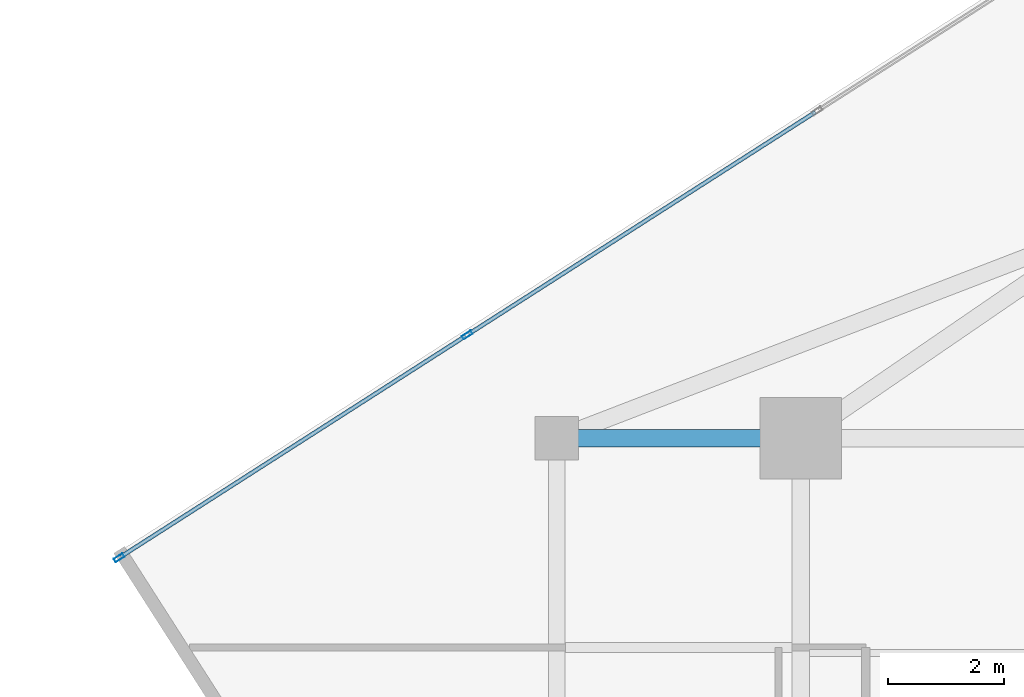
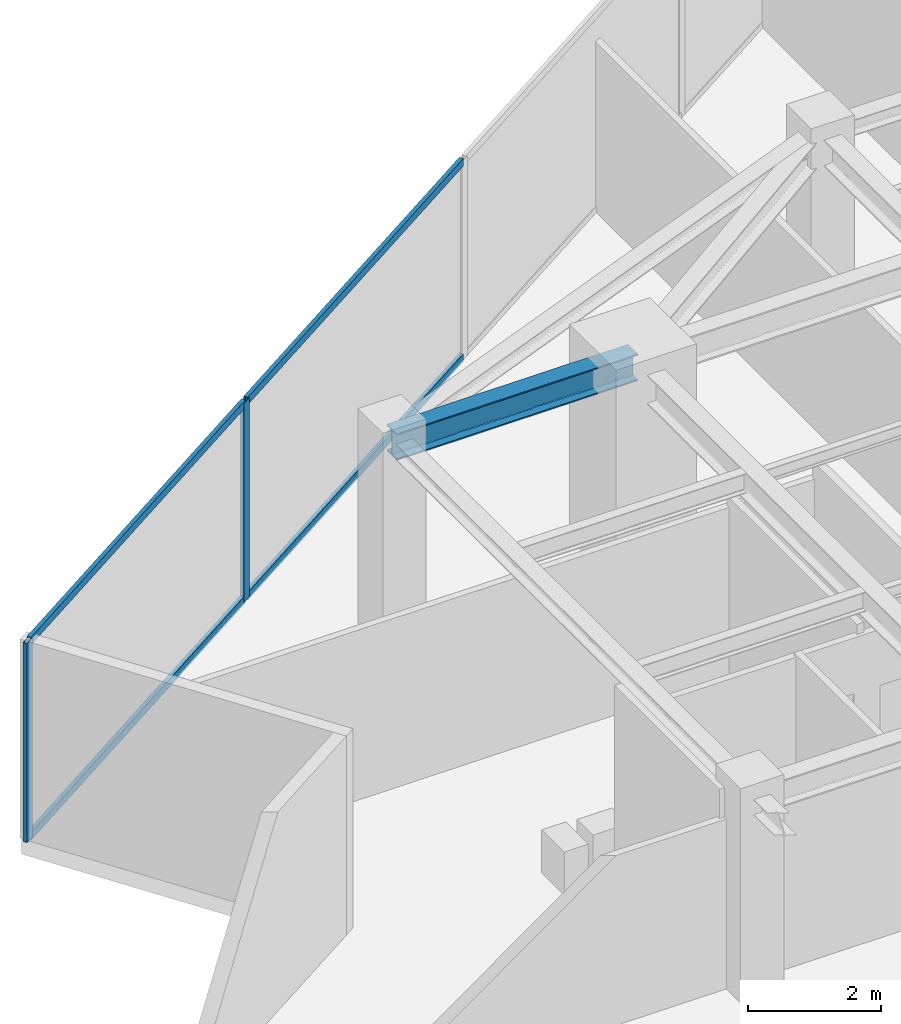
# One storey, part 11 of 20: 6 members, 1 beam, 1 element without a shape of its own.
"""IFC4 building model written with IfcOpenShell, lengths in metres."""

import ifcopenshell
import ifcopenshell.guid

model = None  # the IFC model being written
_history = None  # IfcOwnerHistory: only IFC2X3 demands one
_inside = {}  # id of a spatial element -> (the spatial element, [elements in it])
_under = {}  # id of a project, library or spatial element -> (it, [spatial elements below it])
_declared = {}  # id of a project -> (the project, [libraries it declares])
_typed = {}  # id of a type object -> (the type object, [elements of that type])
_made_of = {}  # id of a material, layer set ... -> (it, [elements and type objects made of it])


def new_model(schema):
    """Start an empty IFC model of exactly this schema.

    Asked for "IFC4X3", IfcOpenShell would pick the latest addendum, in which some entities
    have other attributes; the version numbers below select the first issue.
    IFC2X3 requires an IfcOwnerHistory on every rooted entity: one is made here for all.
    """
    global model, _history
    if schema == "IFC4X3":
        model = ifcopenshell.file(schema_version=(4, 3, 0, 0))
    else:
        model = ifcopenshell.file(schema=schema)
    _inside.clear()
    _under.clear()
    _declared.clear()
    _typed.clear()
    _made_of.clear()
    _history = None
    if model.schema == "IFC2X3":
        org = make("IfcOrganization", Name="unknown")
        user = make(
            "IfcPersonAndOrganization",
            ThePerson=make("IfcPerson", FamilyName="unknown"),
            TheOrganization=org,
        )
        app = make(
            "IfcApplication",
            ApplicationDeveloper=org,
            Version="unknown",
            ApplicationFullName="unknown",
            ApplicationIdentifier="unknown",
        )
        _history = make(
            "IfcOwnerHistory",
            OwningUser=user,
            OwningApplication=app,
            ChangeAction="ADDED",
            CreationDate=0,
        )
    return model


def make(cls, **values):
    """One entity of the class cls with the attributes given. An attribute that is None is left unset."""
    return model.create_entity(
        cls, **{name: value for name, value in values.items() if value is not None}
    )


def rooted(cls, **values):
    """An entity with a GlobalId (a new one), such as an element, a storey or a relation."""
    return make(cls, GlobalId=ifcopenshell.guid.new(), OwnerHistory=_history, **values)


def si_unit(unit_type, name, prefix=None):
    """IfcSIUnit, for example si_unit("LENGTHUNIT", "METRE", prefix="MILLI")."""
    return make("IfcSIUnit", UnitType=unit_type, Prefix=prefix, Name=name)


def assignment(units):
    """IfcUnitAssignment: the units of a project."""
    return None if units is None else make("IfcUnitAssignment", Units=units)


def point(xyz):
    """IfcCartesianPoint."""
    return None if xyz is None else make("IfcCartesianPoint", Coordinates=xyz)


def direction(xyz):
    """IfcDirection."""
    return None if xyz is None else make("IfcDirection", DirectionRatios=xyz)


def frame(location, z_axis=None, x_axis=None):
    """IfcAxis2Placement3D, a coordinate frame: its origin and axes. An axis left out is left unset."""
    return make(
        "IfcAxis2Placement3D",
        Location=point(location),
        Axis=direction(z_axis),
        RefDirection=direction(x_axis),
    )


def frame_2d(location, x_axis=None):
    """IfcAxis2Placement2D, a coordinate frame in the plane: its origin and x axis."""
    return make(
        "IfcAxis2Placement2D", Location=point(location), RefDirection=direction(x_axis)
    )


def origin():
    """The frame at (0, 0, 0) with its axes left unset."""
    return frame((0.0, 0.0, 0.0))


def origin_2d():
    """The frame at (0, 0) in the plane with its x axis left unset."""
    return frame_2d((0.0, 0.0))


def place(relative_to, where):
    """IfcLocalPlacement: puts the frame where relative to a parent placement (None: the world)."""
    return make(
        "IfcLocalPlacement", PlacementRelTo=relative_to, RelativePlacement=where
    )


def context(
    kind, dimensions, precision=None, world=None, true_north=None, identifier=None
):
    """IfcGeometricRepresentationContext, for example the 3D "Model" context."""
    return make(
        "IfcGeometricRepresentationContext",
        ContextIdentifier=identifier,
        ContextType=kind,
        CoordinateSpaceDimension=dimensions,
        Precision=precision,
        WorldCoordinateSystem=world,
        TrueNorth=true_north,
    )


def subcontext(parent, identifier, kind, view, scale=None):
    """IfcGeometricRepresentationSubContext, for example "Body" below "Model"."""
    return make(
        "IfcGeometricRepresentationSubContext",
        ContextIdentifier=identifier,
        ContextType=kind,
        ParentContext=parent,
        TargetScale=scale,
        TargetView=view,
    )


def project(units=None, contexts=None):
    """IfcProject with its units and contexts."""
    return rooted(
        "IfcProject",
        Name="project",
        RepresentationContexts=contexts,
        UnitsInContext=assignment(units),
    )


def spatial(cls, under=None, at=None, **own):
    """A site, building, storey or space (cls), placed at a placement, below another one or the project."""
    s = rooted(cls, ObjectPlacement=at, **own)
    if under is not None:
        _under.setdefault(under.id(), (under, []))[1].append(s)
    return s


def profile(cls, at=None, kind="AREA", **sizes):
    """A parametric profile (cls). Its sizes go by their IFC names, for example OverallWidth=200.0."""
    return make(cls, ProfileType=kind, Position=at, **sizes)


def hollow_rectangle(**sizes):
    """IfcRectangleHollowProfileDef."""
    return profile("IfcRectangleHollowProfileDef", **sizes)


def i_section(**sizes):
    """IfcIShapeProfileDef."""
    return profile("IfcIShapeProfileDef", **sizes)


def extrude(swept, where, along, depth):
    """IfcExtrudedAreaSolid: the profile swept, set in the frame where, extruded along a direction by depth."""
    return make(
        "IfcExtrudedAreaSolid",
        SweptArea=swept,
        Position=where,
        ExtrudedDirection=direction(along),
        Depth=depth,
    )


def shape(context_of_items, identifier, shape_type, items):
    """IfcShapeRepresentation: the items that make up one representation, for example the "Body"."""
    return make(
        "IfcShapeRepresentation",
        ContextOfItems=context_of_items,
        RepresentationIdentifier=identifier,
        RepresentationType=shape_type,
        Items=items,
    )


def source(mapping_origin, context_of_items, identifier, shape_type, items):
    """IfcRepresentationMap: a shape defined once, which mapped items show again and again."""
    return make(
        "IfcRepresentationMap",
        MappingOrigin=mapping_origin,
        MappedRepresentation=shape(context_of_items, identifier, shape_type, items),
    )


def transform(
    local_origin,
    x_axis=None,
    y_axis=None,
    z_axis=None,
    scale=None,
    scale2=None,
    scale3=None,
    uniform=True,
):
    """IfcCartesianTransformationOperator3D, or its non-uniform kind. x_axis, y_axis, z_axis: its Axis1, 2, 3."""
    if uniform:
        return make(
            "IfcCartesianTransformationOperator3D",
            Axis1=direction(x_axis),
            Axis2=direction(y_axis),
            LocalOrigin=point(local_origin),
            Scale=scale,
            Axis3=direction(z_axis),
        )
    return make(
        "IfcCartesianTransformationOperator3DnonUniform",
        Axis1=direction(x_axis),
        Axis2=direction(y_axis),
        LocalOrigin=point(local_origin),
        Scale=scale,
        Axis3=direction(z_axis),
        Scale2=scale2,
        Scale3=scale3,
    )


def mapped(mapping_source, mapping_target):
    """IfcMappedItem: shows the shape of a source again, moved by a transform."""
    return make(
        "IfcMappedItem", MappingSource=mapping_source, MappingTarget=mapping_target
    )


def material(Name=None, Category=None):
    """IfcMaterial."""
    return make("IfcMaterial", Name=Name, Category=Category)


def material_profile(
    of_material, cross_section, Name=None, Category=None, Priority=None
):
    """IfcMaterialProfile: a cross section and its material."""
    return make(
        "IfcMaterialProfile",
        Name=Name,
        Material=of_material,
        Profile=cross_section,
        Priority=Priority,
        Category=Category,
    )


def profile_set(profiles, Name=None, composite=None):
    """IfcMaterialProfileSet."""
    return make(
        "IfcMaterialProfileSet",
        Name=Name,
        MaterialProfiles=profiles,
        CompositeProfile=composite,
    )


def made_of(thing, what):
    """Note that an element or type object is made of a material, layer set ...; save() writes the relation."""
    if what is not None:
        _made_of.setdefault(what.id(), (what, []))[1].append(thing)
    return thing


def type_object(cls, material=None, **own):
    """A type object (cls), such as IfcWallType, which elements share."""
    return made_of(rooted(cls, **own), material)


def type_shapes(of_type, sources):
    """Give a type object the sources (RepresentationMaps) that its elements show as mapped items."""
    of_type.RepresentationMaps = sources


def element(
    cls,
    number,
    at=None,
    inside=None,
    cuts=None,
    type_object=None,
    material=None,
    context=None,
    identifier="Body",
    shape_type=None,
    held_by="IfcProductDefinitionShape",
    body=None,
    shapes=None,
    **own,
):
    """One element of the class cls, such as IfcWall. Its Tag is "e" and its number.

    at: its placement. inside: the storey or other place that contains it. cuts: it is an
    opening in that element (IfcRelVoidsElement). A single representation is given by context,
    identifier, shape_type and body (its items); several are given by shapes. held_by: the class
    of the entity that holds the representations. save() writes the other relations.
    """
    e = rooted(cls, Tag="e%d" % number, ObjectPlacement=at, **own)
    if body is not None:
        shapes = [shape(context, identifier, shape_type, body)]
    if shapes is not None:
        e.Representation = make(held_by, Representations=shapes)
    if inside is not None:
        _inside.setdefault(inside.id(), (inside, []))[1].append(e)
    if cuts is not None:
        rooted(
            "IfcRelVoidsElement", RelatingBuildingElement=cuts, RelatedOpeningElement=e
        )
    if type_object is not None:
        _typed.setdefault(type_object.id(), (type_object, []))[1].append(e)
    return made_of(e, material)


def aggregate(whole, parts):
    """IfcRelAggregates: a whole, such as a stair, and the parts it consists of."""
    return rooted("IfcRelAggregates", RelatingObject=whole, RelatedObjects=parts)


def save(model, path):
    """Write the relations noted so far, then the file.

    IfcRelAggregates (storeys below a building ...), IfcRelContainedInSpatialStructure (elements
    in a storey), IfcRelDefinesByType, IfcRelAssociatesMaterial and IfcRelDeclares: one each for
    every whole, place, type object, material and project.
    """
    for whole, parts in _under.values():
        aggregate(whole, parts)
    for where, things in _inside.values():
        rooted(
            "IfcRelContainedInSpatialStructure",
            RelatedElements=things,
            RelatingStructure=where,
        )
    for kind, things in _typed.values():
        rooted("IfcRelDefinesByType", RelatedObjects=things, RelatingType=kind)
    for what, things in _made_of.values():
        rooted("IfcRelAssociatesMaterial", RelatedObjects=things, RelatingMaterial=what)
    for by, libraries in _declared.values():
        rooted("IfcRelDeclares", RelatingContext=by, RelatedDefinitions=libraries)
    model.write(path)


model = new_model("IFC4")

# Units and contexts
model_context = context("Model", 3, precision=1e-05, world=origin(), true_north=direction((0.0, 1.0)))
body_context = subcontext(model_context, "Body", "Model", "MODEL_VIEW")
ifc_project = project(units=[si_unit("LENGTHUNIT", "METRE"), si_unit("AREAUNIT", "SQUARE_METRE"), si_unit("VOLUMEUNIT", "CUBIC_METRE"), si_unit("PLANEANGLEUNIT", "RADIAN"), si_unit("MASSUNIT", "GRAM", prefix="KILO")], contexts=[model_context])

# Site, building, storey
site_placement = place(None, origin())
site = spatial("IfcSite", under=ifc_project, at=site_placement, CompositionType="ELEMENT")
building_placement = place(site_placement, origin())
building = spatial("IfcBuilding", under=site, at=building_placement, Name="Krantzveldt Concourse Tower", CompositionType="ELEMENT")
storey_placement = place(building_placement, frame((0.0, 0.0, 291.10009765625)))
storey = spatial("IfcBuildingStorey", under=building, at=storey_placement, Name="L71", CompositionType="ELEMENT", Elevation=291.10009765625)

# Beam
ifc_material_1 = material(Name="Steel S355JR", Category="steel")
ifc_material_profile_1 = material_profile(ifc_material_1, i_section(OverallWidth=0.300048828125, OverallDepth=0.489990234375, WebThickness=0.011962890625, FlangeThickness=0.02294921875, FilletRadius=0.027099609375, at=origin_2d()), Name="Steel S355JR", Category="steel")
ifc_profile_set_1 = profile_set([ifc_material_profile_1], Name="Steel S355JR - HEA 500")
beam_type = type_object("IfcBeamType", Name="BM-B-HEA500", PredefinedType="BEAM", material=ifc_profile_set_1)
shared_shape_1 = source(origin(), body_context, "Body", "SweptSolid", [
    extrude(i_section(OverallWidth=0.300048828125, OverallDepth=0.489990234375, WebThickness=0.011962890625, FlangeThickness=0.02294921875, FilletRadius=0.027099609375, at=origin_2d()), origin(), (0.0, 0.0, 1.0), 4.199951171875),
])
type_shapes(beam_type, [shared_shape_1])
beam_placement = place(storey_placement, frame((21.0, 37.5, 3.4248046875), z_axis=(1.0, 0.0, 0.0), x_axis=(0.0, 1.0, 0.0)))
element("IfcBeam", 1, at=beam_placement, inside=storey, type_object=beam_type, Name="L71 Tower Girder BR-RL3", PredefinedType="BEAM", context=body_context, shape_type="MappedRepresentation", body=[
    mapped(shared_shape_1, transform((0.0, 0.0, 0.0), x_axis=(1.0, 0.0, 0.0), y_axis=(0.0, 1.0, 0.0), z_axis=(0.0, 0.0, 1.0), scale=1.0)),
])

# Curtain wall, members
ifc_material_2 = material(Name="Anodised aluminium 6063-T6", Category="aluminium")
curtain_wall_type = type_object("IfcCurtainWallType", Name="CW4", PredefinedType="USERDEFINED", material=ifc_material_2)
curtain_wall_placement = place(storey_placement, origin())
curtain_wall = element("IfcCurtainWall", 2, at=curtain_wall_placement, inside=storey, type_object=curtain_wall_type, Name="CW-L71-F01", ObjectType="UNITISED CURTAIN WALL", PredefinedType="USERDEFINED")
ifc_material_profile_2 = material_profile(ifc_material_2, hollow_rectangle(XDim=0.070068359375, YDim=0.179931640625, WallThickness=0.0048828125, at=origin_2d()), Name="Anodised aluminium 6063-T6", Category="aluminium")
ifc_profile_set_2 = profile_set([ifc_material_profile_2], Name="Anodised aluminium 6063-T6 - ALU-MULL 180x70x5")
member_type_1 = type_object("IfcMemberType", Name="CW-MUL-180", PredefinedType="MULLION", material=ifc_profile_set_2)
shared_shape_2 = source(origin(), body_context, "Body", "SweptSolid", [
    extrude(hollow_rectangle(XDim=0.070068359375, YDim=0.179931640625, WallThickness=0.0048828125, at=origin_2d()), origin(), (0.0, 0.0, 1.0), 3.669921875),
])
type_shapes(member_type_1, [shared_shape_2])
member_1_placement = place(storey_placement, frame((19.45947265625, 39.27685546875, 0.0), z_axis=(0.0, 0.0, 1.0), x_axis=(0.53913830827, -0.842217243088, 0.0)))
member_1 = element("IfcMember", 3, at=member_1_placement, type_object=member_type_1, Name="CW-Z56 mullion 4", PredefinedType="MULLION", context=body_context, shape_type="MappedRepresentation", body=[
    mapped(shared_shape_2, transform((0.0, 0.0, 0.0), x_axis=(1.0, 0.0, 0.0), y_axis=(0.0, 1.0, 0.0), z_axis=(0.0, 0.0, 1.0), scale=1.0)),
])
member_2_placement = place(storey_placement, frame((13.46728515625, 35.44091796875, 0.0), z_axis=(0.0, 0.0, 1.0), x_axis=(0.53913830827, -0.842217243088, 0.0)))
member_2 = element("IfcMember", 4, at=member_2_placement, type_object=member_type_1, Name="CW-Z56 mullion 5", PredefinedType="MULLION", context=body_context, shape_type="MappedRepresentation", body=[
    mapped(shared_shape_2, transform((0.0, 0.0, 0.0), x_axis=(1.0, 0.0, 0.0), y_axis=(0.0, 1.0, 0.0), z_axis=(0.0, 0.0, 1.0), scale=1.0)),
])
ifc_material_profile_3 = material_profile(ifc_material_2, hollow_rectangle(XDim=0.070068359375, YDim=0.139892578125, WallThickness=0.0048828125, at=origin_2d()), Name="Anodised aluminium 6063-T6", Category="aluminium")
ifc_profile_set_3 = profile_set([ifc_material_profile_3], Name="Anodised aluminium 6063-T6 - ALU-TRAN 140x70x5")
member_type_2 = type_object("IfcMemberType", Name="CW-TRN-150", PredefinedType="USERDEFINED", material=ifc_profile_set_3)
shared_shape_3 = source(origin(), body_context, "Body", "SweptSolid", [
    extrude(hollow_rectangle(XDim=0.070068359375, YDim=0.139892578125, WallThickness=0.0048828125, at=origin_2d()), origin(), (0.0, 0.0, 1.0), 7.080078125),
])
member_3_placement = place(storey_placement, frame((25.451904296875, 43.11279296875, 0.034912109375), z_axis=(-0.842214406915, -0.539142738786, 0.0), x_axis=(0.539142738786, -0.842214406915, 0.0)))
member_3 = element("IfcMember", 5, at=member_3_placement, type_object=member_type_2, Name="CW-Z56 transom 3.1", ObjectType="TRANSOM", PredefinedType="USERDEFINED", context=body_context, shape_type="MappedRepresentation", body=[
    mapped(shared_shape_3, transform((0.0, 0.0, 0.0), x_axis=(1.0, 0.0, 0.0), y_axis=(0.0, 1.0, 0.0), z_axis=(0.0, 0.0, 1.0), scale=1.0)),
])
member_4_placement = place(storey_placement, frame((25.451904296875, 43.11279296875, 3.635009765625), z_axis=(-0.842214406915, -0.539142738786, 0.0), x_axis=(0.539142738786, -0.842214406915, 0.0)))
member_4 = element("IfcMember", 6, at=member_4_placement, type_object=member_type_2, Name="CW-Z56 transom 3.2", ObjectType="TRANSOM", PredefinedType="USERDEFINED", context=body_context, shape_type="MappedRepresentation", body=[
    mapped(shared_shape_3, transform((0.0, 0.0, 0.0), x_axis=(1.0, 0.0, 0.0), y_axis=(0.0, 1.0, 0.0), z_axis=(0.0, 0.0, 1.0), scale=1.0)),
])
shared_shape_4 = source(origin(), body_context, "Body", "SweptSolid", [
    extrude(hollow_rectangle(XDim=0.070068359375, YDim=0.139892578125, WallThickness=0.0048828125, at=origin_2d()), origin(), (0.0, 0.0, 1.0), 7.045166015625),
])
type_shapes(member_type_2, [shared_shape_3, shared_shape_4])
member_5_placement = place(storey_placement, frame((19.43017578125, 39.258056640625, 0.034912109375), z_axis=(-0.842217272537, -0.539138262267, 0.0), x_axis=(0.539138262267, -0.842217272537, 0.0)))
member_5 = element("IfcMember", 7, at=member_5_placement, type_object=member_type_2, Name="CW-Z56 transom 4.1", ObjectType="TRANSOM", PredefinedType="USERDEFINED", context=body_context, shape_type="MappedRepresentation", body=[
    mapped(shared_shape_4, transform((0.0, 0.0, 0.0), x_axis=(1.0, 0.0, 0.0), y_axis=(0.0, 1.0, 0.0), z_axis=(0.0, 0.0, 1.0), scale=1.0)),
])
member_6_placement = place(storey_placement, frame((19.43017578125, 39.258056640625, 3.635009765625), z_axis=(-0.842217272537, -0.539138262267, 0.0), x_axis=(0.539138262267, -0.842217272537, 0.0)))
member_6 = element("IfcMember", 8, at=member_6_placement, type_object=member_type_2, Name="CW-Z56 transom 4.2", ObjectType="TRANSOM", PredefinedType="USERDEFINED", context=body_context, shape_type="MappedRepresentation", body=[
    mapped(shared_shape_4, transform((0.0, 0.0, 0.0), x_axis=(1.0, 0.0, 0.0), y_axis=(0.0, 1.0, 0.0), z_axis=(0.0, 0.0, 1.0), scale=1.0)),
])
aggregate(curtain_wall, [member_1, member_2, member_3, member_4, member_5, member_6])

save(model, "model.ifc")
